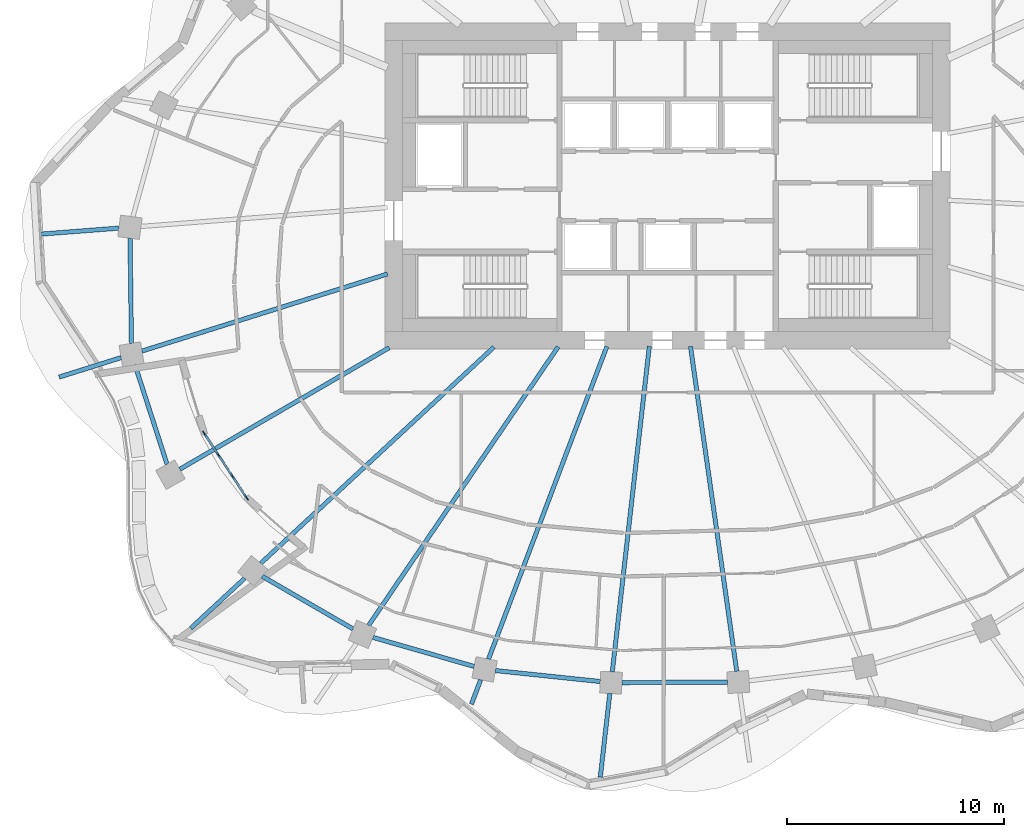
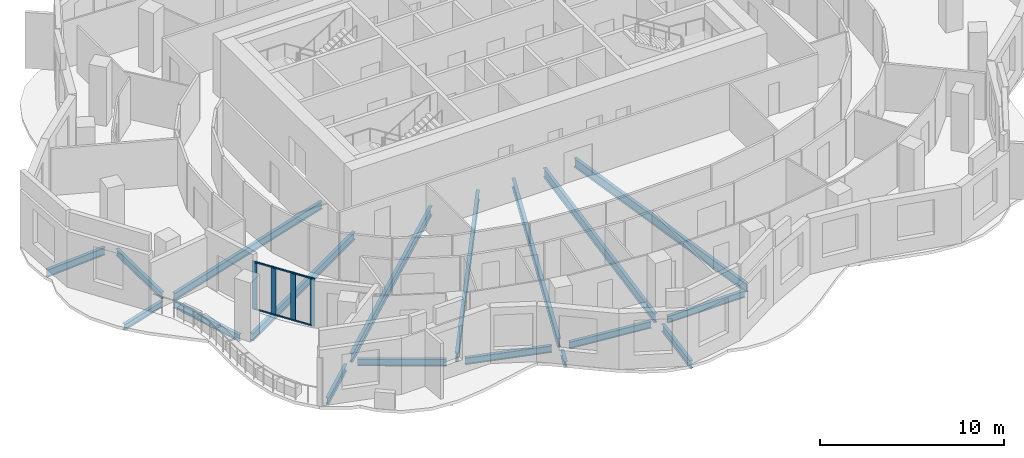
# One storey, part 2 of 13: 18 beams, 10 members, 1 element without a shape of its own.
"""IFC4 building model written with IfcOpenShell, lengths in metres."""

from ifc_helpers import new_model, si_unit, direction, frame, origin, origin_2d, place, context, subcontext, project, spatial, rectangle, i_section, extrude, material, material_profile, profile_set, type_object, element, aggregate, save


model = new_model("IFC4")

# Units and contexts
model_context = context("Model", 3, precision=1e-05, world=origin(), true_north=direction((0.0, 1.0)))
body_context = subcontext(model_context, "Body", "Model", "MODEL_VIEW")
ifc_project = project(units=[si_unit("LENGTHUNIT", "METRE"), si_unit("AREAUNIT", "SQUARE_METRE"), si_unit("VOLUMEUNIT", "CUBIC_METRE"), si_unit("PLANEANGLEUNIT", "RADIAN"), si_unit("MASSUNIT", "GRAM", prefix="KILO")], contexts=[model_context])

# Site, building, storey
site_placement = place(None, origin())
site = spatial("IfcSite", under=ifc_project, at=site_placement, CompositionType="ELEMENT")
building_placement = place(site_placement, origin())
building = spatial("IfcBuilding", under=site, at=building_placement, Name="Rubra Terraces Tower", CompositionType="ELEMENT")
storey_placement = place(building_placement, frame((0.0, 0.0, 233.10009765625)))
storey = spatial("IfcBuildingStorey", under=building, at=storey_placement, Name="L57", CompositionType="ELEMENT", Elevation=233.10009765625)

# Beams
ifc_material_1 = material(Name="Steel Q355B", Category="steel")
ifc_material_profile_1 = material_profile(ifc_material_1, i_section(OverallWidth=0.199951171875, OverallDepth=0.39990234375, WebThickness=0.008056640625, FlangeThickness=0.012939453125, at=origin_2d()), Name="HN 400x200x8x13")
ifc_profile_set_1 = profile_set([ifc_material_profile_1], Name="Steel Q355B")
beam_type_1 = type_object("IfcBeamType", Name="CANTILEVER BEAM HN 400x200x8x13", PredefinedType="BEAM", material=ifc_profile_set_1)
beam_1_placement = place(storey_placement, frame((-25.15087890625, -3.39892578125, -0.400146484375), z_axis=(-0.953969672144, -0.299903092065, 0.0), x_axis=(0.299903092065, -0.953969672144, 0.0)))
element("IfcBeam", 1, at=beam_1_placement, inside=storey, type_object=beam_type_1, Name="beam-L57-cant-13", PredefinedType="BEAM", context=body_context, shape_type="SweptSolid", body=[
    extrude(i_section(OverallWidth=0.199951171875, OverallDepth=0.39990234375, WebThickness=0.008056640625, FlangeThickness=0.012939453125, at=origin_2d()), origin(), (0.0, 0.0, 1.0), 2.987548828125),
])
ifc_material_profile_2 = material_profile(ifc_material_1, i_section(OverallWidth=0.198974609375, OverallDepth=0.446044921875, WebThickness=0.008056640625, FlangeThickness=0.011962890625, at=origin_2d()), Name="HN 446x199x8x12")
ifc_profile_set_2 = profile_set([ifc_material_profile_2], Name="Steel Q355B")
beam_type_2 = type_object("IfcBeamType", Name="CANTILEVER BEAM HN 446x199x8x12", PredefinedType="BEAM", material=ifc_profile_set_2)
beam_2_placement = place(storey_placement, frame((-19.4619140625, -13.552001953125, -0.423095703125), z_axis=(-0.733217162447, -0.679994553429, 0.0), x_axis=(0.679994553429, -0.733217162447, 0.0)))
element("IfcBeam", 2, at=beam_2_placement, inside=storey, type_object=beam_type_2, Name="beam-L57-cant-15", PredefinedType="BEAM", context=body_context, shape_type="SweptSolid", body=[
    extrude(i_section(OverallWidth=0.198974609375, OverallDepth=0.446044921875, WebThickness=0.008056640625, FlangeThickness=0.011962890625, at=origin_2d()), origin(), (0.0, 0.0, 1.0), 3.38525390625),
])
ifc_material_profile_3 = material_profile(ifc_material_1, i_section(OverallWidth=0.198974609375, OverallDepth=0.49609375, WebThickness=0.009033203125, FlangeThickness=0.013916015625, at=origin_2d()), Name="HN 496x199x9x14")
ifc_profile_set_3 = profile_set([ifc_material_profile_3], Name="Steel Q355B")
beam_type_3 = type_object("IfcBeamType", Name="CANTILEVER BEAM HN 496x199x9x14", PredefinedType="BEAM", material=ifc_profile_set_3)
beam_3_placement = place(storey_placement, frame((-25.251953125, 2.56005859375, -0.447998046875), z_axis=(-0.997068393292, -0.076515482732, 0.0), x_axis=(0.076515482732, -0.997068393292, 0.0)))
element("IfcBeam", 3, at=beam_3_placement, inside=storey, type_object=beam_type_3, Name="beam-L57-cant-12", PredefinedType="BEAM", context=body_context, shape_type="SweptSolid", body=[
    extrude(i_section(OverallWidth=0.198974609375, OverallDepth=0.49609375, WebThickness=0.009033203125, FlangeThickness=0.013916015625, at=origin_2d()), origin(), (0.0, 0.0, 1.0), 3.816162109375),
])
beam_4_placement = place(storey_placement, frame((-2.658935546875, -18.85595703125, -0.447998046875), z_axis=(-0.113002967093, -0.993594650463, 0.0), x_axis=(0.993594650463, -0.113002967093, 0.0)))
element("IfcBeam", 4, at=beam_4_placement, inside=storey, type_object=beam_type_3, Name="beam-L57-cant-18", PredefinedType="BEAM", context=body_context, shape_type="SweptSolid", body=[
    extrude(i_section(OverallWidth=0.198974609375, OverallDepth=0.49609375, WebThickness=0.009033203125, FlangeThickness=0.013916015625, at=origin_2d()), origin(), (0.0, 0.0, 1.0), 3.8759765625),
])
ifc_material_profile_4 = material_profile(ifc_material_1, i_section(OverallWidth=0.199951171875, OverallDepth=0.39990234375, WebThickness=0.008056640625, FlangeThickness=0.012939453125, at=origin_2d()), Name="HN 400x200x8x13")
ifc_profile_set_4 = profile_set([ifc_material_profile_4], Name="Steel Q355B")
beam_type_4 = type_object("IfcBeamType", Name="CANTILEVER STUB HN 400x200x8x13", PredefinedType="BEAM", material=ifc_profile_set_4)
beam_5_placement = place(storey_placement, frame((-8.60205078125, -18.222900390625, -0.400146484375), z_axis=(-0.353704766013, -0.935357118164, 0.0), x_axis=(0.935357118164, -0.353704766013, 0.0)))
element("IfcBeam", 5, at=beam_5_placement, inside=storey, type_object=beam_type_4, Name="beam-L57-cant-17", PredefinedType="BEAM", context=body_context, shape_type="SweptSolid", body=[
    extrude(i_section(OverallWidth=0.199951171875, OverallDepth=0.39990234375, WebThickness=0.008056640625, FlangeThickness=0.012939453125, at=origin_2d()), origin(), (0.0, 0.0, 1.0), 1.20166015625),
])
ifc_material_profile_5 = material_profile(ifc_material_1, i_section(OverallWidth=0.198974609375, OverallDepth=0.49609375, WebThickness=0.009033203125, FlangeThickness=0.013916015625, at=origin_2d()), Name="HN 496x199x9x14")
ifc_profile_set_5 = profile_set([ifc_material_profile_5], Name="Steel Q355B")
beam_type_5 = type_object("IfcBeamType", Name="FLOOR BEAM HN 496x199x9x14", PredefinedType="BEAM", material=ifc_profile_set_5)
beam_6_placement = place(storey_placement, frame((-24.18701171875, -3.096923828125, -0.447998046875), z_axis=(0.954040699023, 0.299677067204, 0.0), x_axis=(-0.299677067204, 0.954040699023, 0.0)))
element("IfcBeam", 6, at=beam_6_placement, inside=storey, type_object=beam_type_5, Name="beam-L57-floor-13", PredefinedType="BEAM", context=body_context, shape_type="SweptSolid", body=[
    extrude(i_section(OverallWidth=0.198974609375, OverallDepth=0.49609375, WebThickness=0.009033203125, FlangeThickness=0.013916015625, at=origin_2d()), origin(), (0.0, 0.0, 1.0), 11.845458984375),
])
beam_7_placement = place(storey_placement, frame((-22.447021484375, -8.535888671875, -0.447998046875), z_axis=(0.864755491844, 0.502193129508, 0.0), x_axis=(-0.502193129508, 0.864755491844, 0.0)))
element("IfcBeam", 7, at=beam_7_placement, inside=storey, type_object=beam_type_5, Name="beam-L57-floor-14", PredefinedType="BEAM", context=body_context, shape_type="SweptSolid", body=[
    extrude(i_section(OverallWidth=0.198974609375, OverallDepth=0.49609375, WebThickness=0.009033203125, FlangeThickness=0.013916015625, at=origin_2d()), origin(), (0.0, 0.0, 1.0), 11.14306640625),
])
ifc_material_profile_6 = material_profile(ifc_material_1, i_section(OverallWidth=0.198974609375, OverallDepth=0.595947265625, WebThickness=0.010009765625, FlangeThickness=0.014892578125, at=origin_2d()), Name="HN 596x199x10x15")
ifc_profile_set_6 = profile_set([ifc_material_profile_6], Name="Steel Q355B")
beam_type_6 = type_object("IfcBeamType", Name="FLOOR BEAM HN 596x199x10x15", PredefinedType="BEAM", material=ifc_profile_set_6)
beam_8_placement = place(storey_placement, frame((-18.721923828125, -12.865966796875, -0.498046875), z_axis=(0.733130458484, 0.680088031687, 0.0), x_axis=(-0.680088031687, 0.733130458484, 0.0)))
element("IfcBeam", 8, at=beam_8_placement, inside=storey, type_object=beam_type_6, Name="beam-L57-floor-15", PredefinedType="BEAM", context=body_context, shape_type="SweptSolid", body=[
    extrude(i_section(OverallWidth=0.198974609375, OverallDepth=0.595947265625, WebThickness=0.010009765625, FlangeThickness=0.014892578125, at=origin_2d()), origin(), (0.0, 0.0, 1.0), 14.62744140625),
])
beam_9_placement = place(storey_placement, frame((-13.7548828125, -15.715087890625, -0.498046875), z_axis=(0.562545242124, 0.826766503049, 0.0), x_axis=(-0.826766503049, 0.562545242124, 0.0)))
element("IfcBeam", 9, at=beam_9_placement, inside=storey, type_object=beam_type_6, Name="beam-L57-floor-16", PredefinedType="BEAM", context=body_context, shape_type="SweptSolid", body=[
    extrude(i_section(OverallWidth=0.198974609375, OverallDepth=0.595947265625, WebThickness=0.010009765625, FlangeThickness=0.014892578125, at=origin_2d()), origin(), (0.0, 0.0, 1.0), 15.499267578125),
])
beam_10_placement = place(storey_placement, frame((-8.241943359375, -17.27490234375, -0.498046875), z_axis=(0.353955134415, 0.93526240319, 0.0), x_axis=(-0.93526240319, 0.353955134415, 0.0)))
element("IfcBeam", 10, at=beam_10_placement, inside=storey, type_object=beam_type_6, Name="beam-L57-floor-17", PredefinedType="BEAM", context=body_context, shape_type="SweptSolid", body=[
    extrude(i_section(OverallWidth=0.198974609375, OverallDepth=0.595947265625, WebThickness=0.010009765625, FlangeThickness=0.014892578125, at=origin_2d()), origin(), (0.0, 0.0, 1.0), 15.3828125),
])
beam_11_placement = place(storey_placement, frame((-2.544921875, -17.860107421875, -0.498046875), z_axis=(0.113084825914, 0.993585337124, 0.0), x_axis=(-0.993585337124, 0.113084825914, 0.0)))
element("IfcBeam", 11, at=beam_11_placement, inside=storey, type_object=beam_type_6, Name="beam-L57-floor-18", PredefinedType="BEAM", context=body_context, shape_type="SweptSolid", body=[
    extrude(i_section(OverallWidth=0.198974609375, OverallDepth=0.595947265625, WebThickness=0.010009765625, FlangeThickness=0.014892578125, at=origin_2d()), origin(), (0.0, 0.0, 1.0), 15.07568359375),
])
beam_12_placement = place(storey_placement, frame((3.18310546875, -17.8330078125, -0.498046875), z_axis=(-0.141104514479, 0.989994705033, 0.0), x_axis=(-0.989994705033, -0.141104514479, 0.0)))
element("IfcBeam", 12, at=beam_12_placement, inside=storey, type_object=beam_type_6, Name="beam-L57-floor-19", PredefinedType="BEAM", context=body_context, shape_type="SweptSolid", body=[
    extrude(i_section(OverallWidth=0.198974609375, OverallDepth=0.595947265625, WebThickness=0.010009765625, FlangeThickness=0.014892578125, at=origin_2d()), origin(), (0.0, 0.0, 1.0), 15.10302734375),
])
ifc_material_profile_7 = material_profile(ifc_material_1, i_section(OverallWidth=0.198974609375, OverallDepth=0.446044921875, WebThickness=0.008056640625, FlangeThickness=0.011962890625, at=origin_2d()), Name="HN 446x199x8x12")
ifc_profile_set_7 = profile_set([ifc_material_profile_7], Name="Steel Q355B")
beam_type_7 = type_object("IfcBeamType", Name="SPANDREL BEAM HN 446x199x8x12", PredefinedType="SPANDREL", material=ifc_profile_set_7)
beam_13_placement = place(storey_placement, frame((-24.737060546875, 2.093994140625, -0.423095703125), z_axis=(0.012822047643, -0.999917794168, 0.0), x_axis=(0.999917794168, 0.012822047643, 0.0)))
element("IfcBeam", 13, at=beam_13_placement, inside=storey, type_object=beam_type_7, Name="beam-L57-spandrel-12", PredefinedType="SPANDREL", context=body_context, shape_type="SweptSolid", body=[
    extrude(i_section(OverallWidth=0.198974609375, OverallDepth=0.446044921875, WebThickness=0.008056640625, FlangeThickness=0.011962890625, at=origin_2d()), origin(), (0.0, 0.0, 1.0), 4.83642578125),
])
beam_14_placement = place(storey_placement, frame((-24.512939453125, -3.72900390625, -0.423095703125), z_axis=(0.307359002872, -0.951593633519, 0.0), x_axis=(0.951593633519, 0.307359002872, 0.0)))
element("IfcBeam", 14, at=beam_14_placement, inside=storey, type_object=beam_type_7, Name="beam-L57-spandrel-13", PredefinedType="SPANDREL", context=body_context, shape_type="SweptSolid", body=[
    extrude(i_section(OverallWidth=0.198974609375, OverallDepth=0.446044921875, WebThickness=0.008056640625, FlangeThickness=0.011962890625, at=origin_2d()), origin(), (0.0, 0.0, 1.0), 4.8056640625),
])
beam_15_placement = place(storey_placement, frame((-18.653076171875, -13.462890625, -0.423095703125), z_axis=(0.865153680787, -0.501506838059, 0.0), x_axis=(0.501506838059, 0.865153680787, 0.0)))
element("IfcBeam", 15, at=beam_15_placement, inside=storey, type_object=beam_type_7, Name="beam-L57-spandrel-15", PredefinedType="SPANDREL", context=body_context, shape_type="SweptSolid", body=[
    extrude(i_section(OverallWidth=0.198974609375, OverallDepth=0.446044921875, WebThickness=0.008056640625, FlangeThickness=0.011962890625, at=origin_2d()), origin(), (0.0, 0.0, 1.0), 4.82568359375),
])
beam_16_placement = place(storey_placement, frame((-13.55810546875, -16.27490234375, -0.423095703125), z_axis=(0.961171164323, -0.275952881621, 0.0), x_axis=(0.275952881621, 0.961171164323, 0.0)))
element("IfcBeam", 16, at=beam_16_placement, inside=storey, type_object=beam_type_7, Name="beam-L57-spandrel-16", PredefinedType="SPANDREL", context=body_context, shape_type="SweptSolid", body=[
    extrude(i_section(OverallWidth=0.198974609375, OverallDepth=0.446044921875, WebThickness=0.008056640625, FlangeThickness=0.011962890625, at=origin_2d()), origin(), (0.0, 0.0, 1.0), 4.842041015625),
])
beam_17_placement = place(storey_placement, frame((-7.923095703125, -17.801025390625, -0.423095703125), z_axis=(0.994565426955, -0.104113454971, 0.0), x_axis=(0.104113454971, 0.994565426955, 0.0)))
element("IfcBeam", 17, at=beam_17_placement, inside=storey, type_object=beam_type_7, Name="beam-L57-spandrel-17", PredefinedType="SPANDREL", context=body_context, shape_type="SweptSolid", body=[
    extrude(i_section(OverallWidth=0.198974609375, OverallDepth=0.446044921875, WebThickness=0.008056640625, FlangeThickness=0.011962890625, at=origin_2d()), origin(), (0.0, 0.0, 1.0), 4.849365234375),
])
beam_18_placement = place(storey_placement, frame((-2.10107421875, -18.35595703125, -0.423095703125), z_axis=(0.999987852299, 0.004929021704, 0.0), x_axis=(-0.004929021704, 0.999987852299, 0.0)))
element("IfcBeam", 18, at=beam_18_placement, inside=storey, type_object=beam_type_7, Name="beam-L57-spandrel-18", PredefinedType="SPANDREL", context=body_context, shape_type="SweptSolid", body=[
    extrude(i_section(OverallWidth=0.198974609375, OverallDepth=0.446044921875, WebThickness=0.008056640625, FlangeThickness=0.011962890625, at=origin_2d()), origin(), (0.0, 0.0, 1.0), 4.85400390625),
])

# Curtain wall, members
ifc_material_2 = material(Name="Aluminium and glass", Category="aluminium")
curtain_wall_type = type_object("IfcCurtainWallType", Name="Curtain wall Terrace glazing", PredefinedType="NOTDEFINED", material=ifc_material_2)
curtain_wall_placement = place(storey_placement, origin())
curtain_wall = element("IfcCurtainWall", 19, at=curtain_wall_placement, inside=storey, type_object=curtain_wall_type, Name="Terrace glazing L57", PredefinedType="NOTDEFINED")
ifc_material_3 = material(Name="Aluminium, anodised dark grey", Category="aluminium")
ifc_material_profile_8 = material_profile(ifc_material_3, rectangle(XDim=0.050048828125, YDim=0.300048828125, at=origin_2d()), Name="AL 50x300")
ifc_profile_set_8 = profile_set([ifc_material_profile_8], Name="Aluminium, anodised dark grey")
member_type_1 = type_object("IfcMemberType", Name="Terrace glazing mullion 50 x 300", PredefinedType="MULLION", material=ifc_profile_set_8)
member_1_placement = place(storey_placement, frame((-21.31396484375, -6.908203125, 0.0), z_axis=(0.0, 0.0, 1.0), x_axis=(0.834855275491, 0.550469498687, 0.0)))
member_1 = element("IfcMember", 20, at=member_1_placement, type_object=member_type_1, Name="CW3 mullion 1", PredefinedType="MULLION", context=body_context, shape_type="SweptSolid", body=[
    extrude(rectangle(XDim=0.050048828125, YDim=0.300048828125, at=origin_2d()), origin(), (0.0, 0.0, 1.0), 3.203857421875),
])
member_2_placement = place(storey_placement, frame((-20.676025390625, -7.875732421875, 0.0), z_axis=(0.0, 0.0, 1.0), x_axis=(0.834855275491, 0.550469498687, 0.0)))
member_2 = element("IfcMember", 21, at=member_2_placement, type_object=member_type_1, Name="CW3 mullion 2", PredefinedType="MULLION", context=body_context, shape_type="SweptSolid", body=[
    extrude(rectangle(XDim=0.050048828125, YDim=0.300048828125, at=origin_2d()), origin(), (0.0, 0.0, 1.0), 3.203857421875),
])
member_3_placement = place(storey_placement, frame((-20.0244140625, -8.864013671875, 0.0), z_axis=(0.0, 0.0, 1.0), x_axis=(0.834855275491, 0.550469498687, 0.0)))
member_3 = element("IfcMember", 22, at=member_3_placement, type_object=member_type_1, Name="CW3 mullion 3", PredefinedType="MULLION", context=body_context, shape_type="SweptSolid", body=[
    extrude(rectangle(XDim=0.050048828125, YDim=0.300048828125, at=origin_2d()), origin(), (0.0, 0.0, 1.0), 3.203857421875),
])
member_4_placement = place(storey_placement, frame((-19.386474609375, -9.83154296875, 0.0), z_axis=(0.0, 0.0, 1.0), x_axis=(0.834855275491, 0.550469498687, 0.0)))
member_4 = element("IfcMember", 23, at=member_4_placement, type_object=member_type_1, Name="CW3 mullion 4", PredefinedType="MULLION", context=body_context, shape_type="SweptSolid", body=[
    extrude(rectangle(XDim=0.050048828125, YDim=0.300048828125, at=origin_2d()), origin(), (0.0, 0.0, 1.0), 3.203857421875),
])
ifc_material_profile_9 = material_profile(ifc_material_3, rectangle(XDim=0.10009765625, YDim=0.050048828125, at=origin_2d()), Name="AL 100x50")
ifc_profile_set_9 = profile_set([ifc_material_profile_9], Name="Aluminium, anodised dark grey")
member_type_2 = type_object("IfcMemberType", Name="Terrace glazing transom 100 x 50", PredefinedType="USERDEFINED", material=ifc_profile_set_9)
member_5_placement = place(storey_placement, frame((-21.30029296875, -6.92919921875, 0.0498046875), z_axis=(0.550424988239, -0.834884622161, 0.0), x_axis=(0.834884622161, 0.550424988239, 0.0)))
member_5 = element("IfcMember", 24, at=member_5_placement, type_object=member_type_2, Name="CW3 transom 1.1", ObjectType="TRANSOM", PredefinedType="USERDEFINED", context=body_context, shape_type="SweptSolid", body=[
    extrude(rectangle(XDim=0.10009765625, YDim=0.050048828125, at=origin_2d()), origin(), (0.0, 0.0, 1.0), 1.10888671875),
])
member_6_placement = place(storey_placement, frame((-21.30029296875, -6.92919921875, 3.15380859375), z_axis=(0.550424988239, -0.834884622161, 0.0), x_axis=(0.834884622161, 0.550424988239, 0.0)))
member_6 = element("IfcMember", 25, at=member_6_placement, type_object=member_type_2, Name="CW3 transom 1.2", ObjectType="TRANSOM", PredefinedType="USERDEFINED", context=body_context, shape_type="SweptSolid", body=[
    extrude(rectangle(XDim=0.10009765625, YDim=0.050048828125, at=origin_2d()), origin(), (0.0, 0.0, 1.0), 1.10888671875),
])
member_7_placement = place(storey_placement, frame((-20.662353515625, -7.896484375, 0.0498046875), z_axis=(0.550320184896, -0.834953707757, 0.0), x_axis=(0.834953707757, 0.550320184896, 0.0)))
member_7 = element("IfcMember", 26, at=member_7_placement, type_object=member_type_2, Name="CW3 transom 2.1", ObjectType="TRANSOM", PredefinedType="USERDEFINED", context=body_context, shape_type="SweptSolid", body=[
    extrude(rectangle(XDim=0.10009765625, YDim=0.050048828125, at=origin_2d()), origin(), (0.0, 0.0, 1.0), 1.134033203125),
])
member_8_placement = place(storey_placement, frame((-20.662353515625, -7.896484375, 3.15380859375), z_axis=(0.550320184896, -0.834953707757, 0.0), x_axis=(0.834953707757, 0.550320184896, 0.0)))
member_8 = element("IfcMember", 27, at=member_8_placement, type_object=member_type_2, Name="CW3 transom 2.2", ObjectType="TRANSOM", PredefinedType="USERDEFINED", context=body_context, shape_type="SweptSolid", body=[
    extrude(rectangle(XDim=0.10009765625, YDim=0.050048828125, at=origin_2d()), origin(), (0.0, 0.0, 1.0), 1.134033203125),
])
member_9_placement = place(storey_placement, frame((-20.0107421875, -8.885009765625, 0.0498046875), z_axis=(0.550526180015, -0.834817899375, 0.0), x_axis=(0.834817899375, 0.550526180015, 0.0)))
member_9 = element("IfcMember", 28, at=member_9_placement, type_object=member_type_2, Name="CW3 transom 3.1", ObjectType="TRANSOM", PredefinedType="USERDEFINED", context=body_context, shape_type="SweptSolid", body=[
    extrude(rectangle(XDim=0.10009765625, YDim=0.050048828125, at=origin_2d()), origin(), (0.0, 0.0, 1.0), 1.108642578125),
])
member_10_placement = place(storey_placement, frame((-20.0107421875, -8.885009765625, 3.15380859375), z_axis=(0.550526180015, -0.834817899375, 0.0), x_axis=(0.834817899375, 0.550526180015, 0.0)))
member_10 = element("IfcMember", 29, at=member_10_placement, type_object=member_type_2, Name="CW3 transom 3.2", ObjectType="TRANSOM", PredefinedType="USERDEFINED", context=body_context, shape_type="SweptSolid", body=[
    extrude(rectangle(XDim=0.10009765625, YDim=0.050048828125, at=origin_2d()), origin(), (0.0, 0.0, 1.0), 1.108642578125),
])
aggregate(curtain_wall, [member_1, member_2, member_3, member_4, member_5, member_6, member_7, member_8, member_9, member_10])

save(model, "model.ifc")
